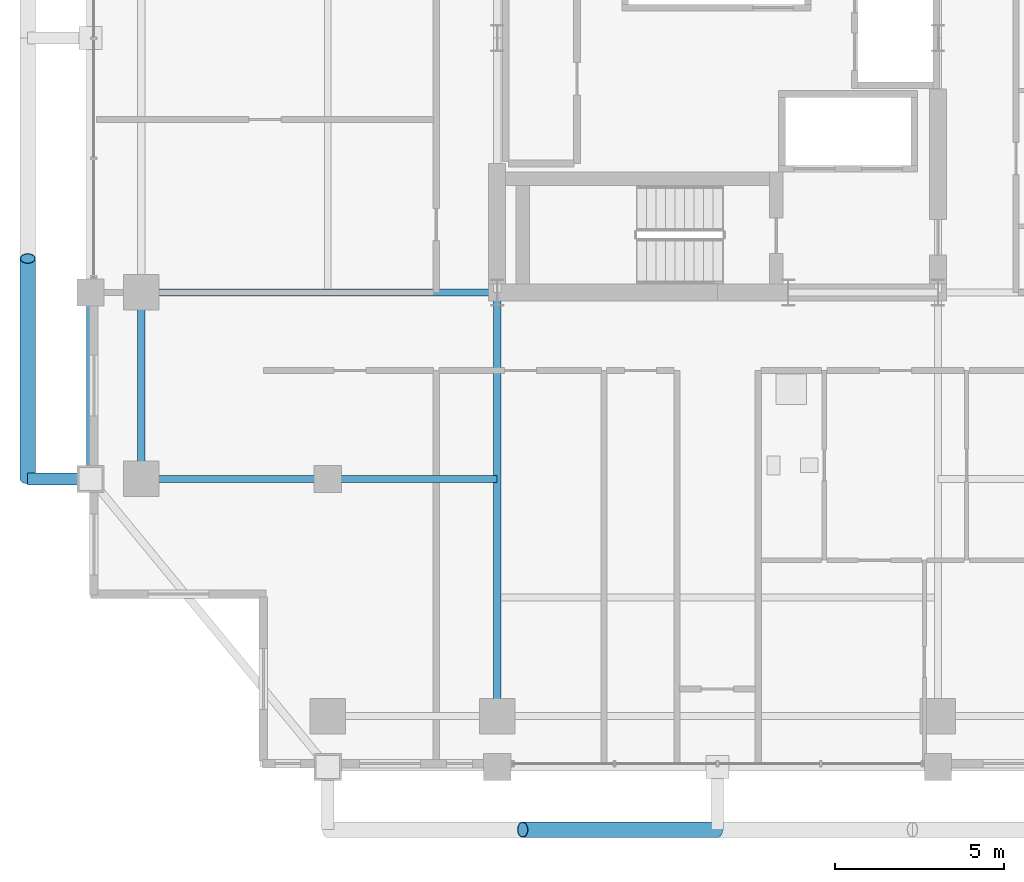
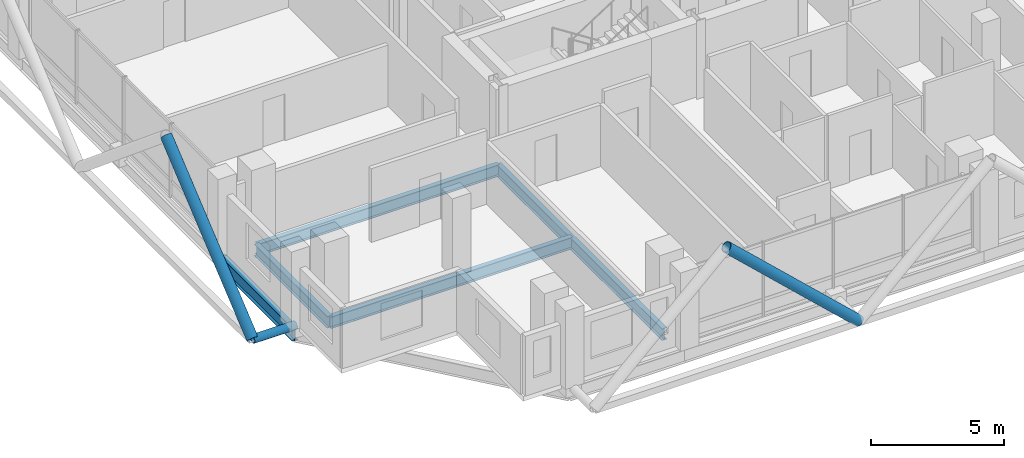
# One storey, part 3 of 26: 6 beams, 3 members.
"""IFC4 building model written with IfcOpenShell, lengths in metres."""

from ifc_helpers import new_model, si_unit, direction, frame, origin, origin_2d, place, context, subcontext, project, spatial, hollow_circle, i_section, extrude, material, material_profile, profile_set, type_object, element, save


model = new_model("IFC4")

# Units and contexts
model_context = context("Model", 3, precision=1e-05, world=origin(), true_north=direction((0.0, 1.0)))
body_context = subcontext(model_context, "Body", "Model", "MODEL_VIEW")
ifc_project = project(units=[si_unit("LENGTHUNIT", "METRE"), si_unit("AREAUNIT", "SQUARE_METRE"), si_unit("VOLUMEUNIT", "CUBIC_METRE"), si_unit("PLANEANGLEUNIT", "RADIAN"), si_unit("MASSUNIT", "GRAM", prefix="KILO")], contexts=[model_context])

# Site, building, storey
site_placement = place(None, origin())
site = spatial("IfcSite", under=ifc_project, at=site_placement, CompositionType="ELEMENT")
building_placement = place(site_placement, origin())
building = spatial("IfcBuilding", under=site, at=building_placement, Name="Barlavira Tower and Art Museum", CompositionType="ELEMENT")
storey_placement = place(building_placement, frame((0.0, 0.0, 176.39990234375)))
storey = spatial("IfcBuildingStorey", under=building, at=storey_placement, Name="L45", CompositionType="ELEMENT", Elevation=176.39990234375)

# Members
ifc_material = material(Name="Steel S355", Category="steel")
ifc_material_profile_1 = material_profile(ifc_material, hollow_circle(Radius=0.228515625, WallThickness=0.02001953125, at=origin_2d()), Name="CHS 457.0x20.0")
ifc_profile_set_1 = profile_set([ifc_material_profile_1], Name="Steel S355")
member_type_1 = type_object("IfcMemberType", Name="Pale-Metal Exoskeleton Diagrid Tube CHS 457x20 Steel S355", PredefinedType="BRACE", material=ifc_profile_set_1)
member_1_placement = place(storey_placement, frame((0.0, -23.35009765625, -0.119873046875), z_axis=(-0.728950095515, 0.0, 0.684566839869), x_axis=(0.0, -1.0, 0.0)))
element("IfcMember", 1, at=member_1_placement, inside=storey, type_object=member_type_1, Name="L45 Exoskeleton Diagrid Tube S", PredefinedType="BRACE", context=body_context, shape_type="SweptSolid", body=[
    extrude(hollow_circle(Radius=0.228515625, WallThickness=0.02001953125, at=origin_2d()), origin(), (0.0, 0.0, 1.0), 7.887939453125),
])
member_2_placement = place(storey_placement, frame((-20.35009765625, -13.0, -0.119873046875), z_axis=(0.0, 0.769196053329, 0.639012857104), x_axis=(-1.0, 0.0, 0.0)))
element("IfcMember", 2, at=member_2_placement, inside=storey, type_object=member_type_1, Name="L45 Exoskeleton Diagrid Tube W", PredefinedType="BRACE", context=body_context, shape_type="SweptSolid", body=[
    extrude(hollow_circle(Radius=0.228515625, WallThickness=0.02001953125, at=origin_2d()), origin(), (0.0, 0.0, 1.0), 8.450439453125),
])
ifc_material_profile_2 = material_profile(ifc_material, hollow_circle(Radius=0.177734375, WallThickness=0.01611328125, at=origin_2d()), Name="CHS 355.6x16.0")
ifc_profile_set_2 = profile_set([ifc_material_profile_2], Name="Steel S355")
member_type_2 = type_object("IfcMemberType", Name="Pale-Metal Exoskeleton Tie Strut CHS 356x16 Steel S355", PredefinedType="STRUT", material=ifc_profile_set_2)
member_3_placement = place(storey_placement, frame((-20.35009765625, -13.0, -0.119873046875), z_axis=(1.0, 0.0, 0.0), x_axis=(0.0, 1.0, 0.0)))
element("IfcMember", 3, at=member_3_placement, inside=storey, type_object=member_type_2, Name="L45 Exoskeleton Tie Strut W1", PredefinedType="STRUT", context=body_context, shape_type="SweptSolid", body=[
    extrude(hollow_circle(Radius=0.177734375, WallThickness=0.01611328125, at=origin_2d()), origin(), (0.0, 0.0, 1.0), 1.85009765625),
])

# Beams
ifc_material_profile_3 = material_profile(ifc_material, i_section(OverallWidth=0.22998046875, OverallDepth=0.616943359375, WebThickness=0.01318359375, FlangeThickness=0.022216796875, at=origin_2d()), Name="W610x140.0")
ifc_profile_set_3 = profile_set([ifc_material_profile_3], Name="Steel S355")
beam_type_1 = type_object("IfcBeamType", Name="Upper Shaft Spandrel Edge Beam W610x140 Steel S355", PredefinedType="SPANDREL", material=ifc_profile_set_3)
beam_1_placement = place(storey_placement, frame((-18.5, -13.0, -0.5283203125), z_axis=(0.0, 1.0, 0.0), x_axis=(-1.0, 0.0, 0.0)))
element("IfcBeam", 4, at=beam_1_placement, inside=storey, type_object=beam_type_1, Name="L45 Spandrel 15", PredefinedType="SPANDREL", context=body_context, shape_type="SweptSolid", body=[
    extrude(i_section(OverallWidth=0.22998046875, OverallDepth=0.616943359375, WebThickness=0.01318359375, FlangeThickness=0.022216796875, at=origin_2d()), origin(), (0.0, 0.0, 1.0), 5.5),
])
ifc_material_profile_4 = material_profile(ifc_material, i_section(OverallWidth=0.2109375, OverallDepth=0.5390625, WebThickness=0.01171875, FlangeThickness=0.018798828125, at=origin_2d()), Name="W530x109.0")
ifc_profile_set_4 = profile_set([ifc_material_profile_4], Name="Steel S355")
beam_type_2 = type_object("IfcBeamType", Name="Zone 3-4 Primary Floor Girder W530x109 Steel S355", PredefinedType="BEAM", material=ifc_profile_set_4)
beam_2_placement = place(storey_placement, frame((-17.0, -13.0, -0.489501953125), z_axis=(0.0, 1.0, 0.0), x_axis=(-1.0, 0.0, 0.0)))
element("IfcBeam", 5, at=beam_2_placement, inside=storey, type_object=beam_type_2, Name="L45 Girder M-W1", PredefinedType="BEAM", context=body_context, shape_type="SweptSolid", body=[
    extrude(i_section(OverallWidth=0.2109375, OverallDepth=0.5390625, WebThickness=0.01171875, FlangeThickness=0.018798828125, at=origin_2d()), origin(), (0.0, 0.0, 1.0), 5.5),
])
beam_3_placement = place(storey_placement, frame((-6.5, -20.0, -0.489501953125), z_axis=(0.0, 1.0, 0.0), x_axis=(-1.0, 0.0, 0.0)))
element("IfcBeam", 6, at=beam_3_placement, inside=storey, type_object=beam_type_2, Name="L45 Girder R-S1", PredefinedType="BEAM", context=body_context, shape_type="SweptSolid", body=[
    extrude(i_section(OverallWidth=0.2109375, OverallDepth=0.5390625, WebThickness=0.01171875, FlangeThickness=0.018798828125, at=origin_2d()), origin(), (0.0, 0.0, 1.0), 12.5),
])
beam_4_placement = place(storey_placement, frame((-17.0, -7.5, -0.489501953125), z_axis=(1.0, 0.0, 0.0), x_axis=(0.0, 1.0, 0.0)))
element("IfcBeam", 7, at=beam_4_placement, inside=storey, type_object=beam_type_2, Name="L45 Girder R-W1", PredefinedType="BEAM", context=body_context, shape_type="SweptSolid", body=[
    extrude(i_section(OverallWidth=0.2109375, OverallDepth=0.5390625, WebThickness=0.01171875, FlangeThickness=0.018798828125, at=origin_2d()), origin(), (0.0, 0.0, 1.0), 10.5),
])
beam_5_placement = place(storey_placement, frame((-17.0, -13.0, -0.489501953125), z_axis=(1.0, 0.0, 0.0), x_axis=(0.0, 1.0, 0.0)))
element("IfcBeam", 8, at=beam_5_placement, inside=storey, type_object=beam_type_2, Name="L45 Girder I-S1", PredefinedType="BEAM", context=body_context, shape_type="SweptSolid", body=[
    extrude(i_section(OverallWidth=0.2109375, OverallDepth=0.5390625, WebThickness=0.01171875, FlangeThickness=0.018798828125, at=origin_2d()), origin(), (0.0, 0.0, 1.0), 5.5),
])
beam_6_placement = place(storey_placement, frame((-11.5, -13.0, -0.489501953125), z_axis=(1.0, 0.0, 0.0), x_axis=(0.0, 1.0, 0.0)))
element("IfcBeam", 9, at=beam_6_placement, inside=storey, type_object=beam_type_2, Name="L45 Girder I-S2", PredefinedType="BEAM", context=body_context, shape_type="SweptSolid", body=[
    extrude(i_section(OverallWidth=0.2109375, OverallDepth=0.5390625, WebThickness=0.01171875, FlangeThickness=0.018798828125, at=origin_2d()), origin(), (0.0, 0.0, 1.0), 5.0),
])

save(model, "model.ifc")
